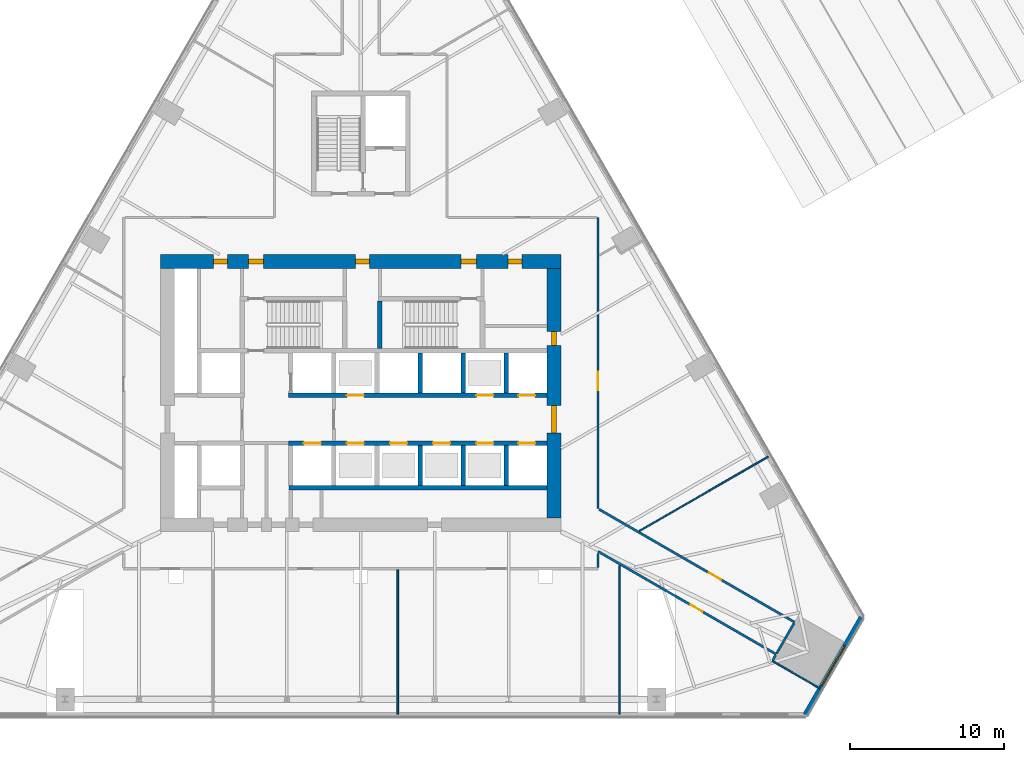
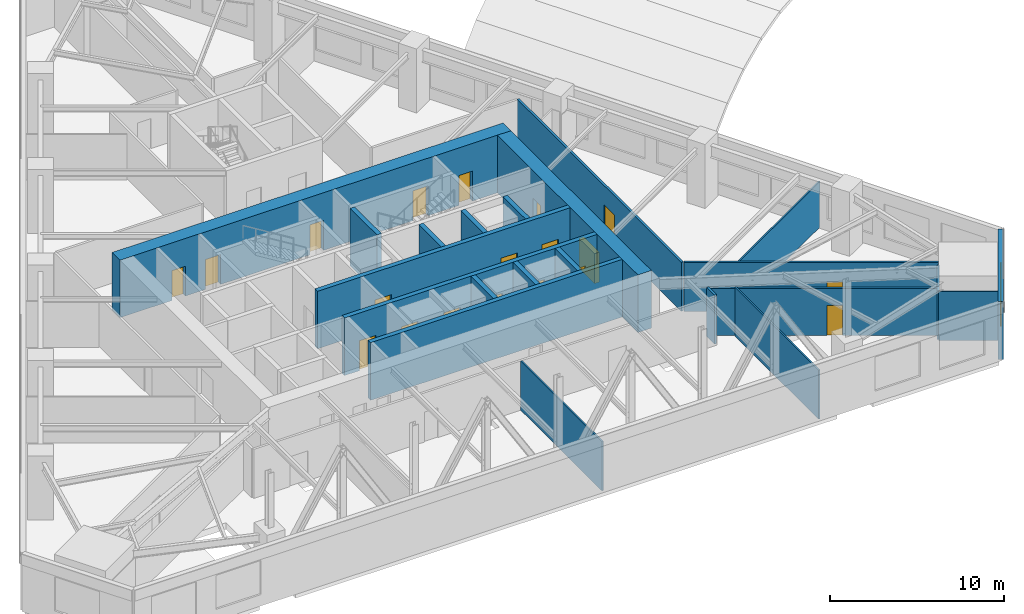
# One storey, part 7 of 11: 23 walls, 19 doors, 1 window, 20 openings.
"""IFC4 building model written with IfcOpenShell, lengths in metres."""

import ifcopenshell
import ifcopenshell.guid

model = None  # the IFC model being written
_history = None  # IfcOwnerHistory: only IFC2X3 demands one
_inside = {}  # id of a spatial element -> (the spatial element, [elements in it])
_under = {}  # id of a project, library or spatial element -> (it, [spatial elements below it])
_declared = {}  # id of a project -> (the project, [libraries it declares])
_typed = {}  # id of a type object -> (the type object, [elements of that type])
_made_of = {}  # id of a material, layer set ... -> (it, [elements and type objects made of it])


def new_model(schema):
    """Start an empty IFC model of exactly this schema.

    Asked for "IFC4X3", IfcOpenShell would pick the latest addendum, in which some entities
    have other attributes; the version numbers below select the first issue.
    IFC2X3 requires an IfcOwnerHistory on every rooted entity: one is made here for all.
    """
    global model, _history
    if schema == "IFC4X3":
        model = ifcopenshell.file(schema_version=(4, 3, 0, 0))
    else:
        model = ifcopenshell.file(schema=schema)
    _inside.clear()
    _under.clear()
    _declared.clear()
    _typed.clear()
    _made_of.clear()
    _history = None
    if model.schema == "IFC2X3":
        org = make("IfcOrganization", Name="unknown")
        user = make(
            "IfcPersonAndOrganization",
            ThePerson=make("IfcPerson", FamilyName="unknown"),
            TheOrganization=org,
        )
        app = make(
            "IfcApplication",
            ApplicationDeveloper=org,
            Version="unknown",
            ApplicationFullName="unknown",
            ApplicationIdentifier="unknown",
        )
        _history = make(
            "IfcOwnerHistory",
            OwningUser=user,
            OwningApplication=app,
            ChangeAction="ADDED",
            CreationDate=0,
        )
    return model


def make(cls, **values):
    """One entity of the class cls with the attributes given. An attribute that is None is left unset."""
    return model.create_entity(
        cls, **{name: value for name, value in values.items() if value is not None}
    )


def rooted(cls, **values):
    """An entity with a GlobalId (a new one), such as an element, a storey or a relation."""
    return make(cls, GlobalId=ifcopenshell.guid.new(), OwnerHistory=_history, **values)


def si_unit(unit_type, name, prefix=None):
    """IfcSIUnit, for example si_unit("LENGTHUNIT", "METRE", prefix="MILLI")."""
    return make("IfcSIUnit", UnitType=unit_type, Prefix=prefix, Name=name)


def assignment(units):
    """IfcUnitAssignment: the units of a project."""
    return None if units is None else make("IfcUnitAssignment", Units=units)


def point(xyz):
    """IfcCartesianPoint."""
    return None if xyz is None else make("IfcCartesianPoint", Coordinates=xyz)


def direction(xyz):
    """IfcDirection."""
    return None if xyz is None else make("IfcDirection", DirectionRatios=xyz)


def frame(location, z_axis=None, x_axis=None):
    """IfcAxis2Placement3D, a coordinate frame: its origin and axes. An axis left out is left unset."""
    return make(
        "IfcAxis2Placement3D",
        Location=point(location),
        Axis=direction(z_axis),
        RefDirection=direction(x_axis),
    )


def frame_2d(location, x_axis=None):
    """IfcAxis2Placement2D, a coordinate frame in the plane: its origin and x axis."""
    return make(
        "IfcAxis2Placement2D", Location=point(location), RefDirection=direction(x_axis)
    )


def origin():
    """The frame at (0, 0, 0) with its axes left unset."""
    return frame((0.0, 0.0, 0.0))


def place(relative_to, where):
    """IfcLocalPlacement: puts the frame where relative to a parent placement (None: the world)."""
    return make(
        "IfcLocalPlacement", PlacementRelTo=relative_to, RelativePlacement=where
    )


def context(
    kind, dimensions, precision=None, world=None, true_north=None, identifier=None
):
    """IfcGeometricRepresentationContext, for example the 3D "Model" context."""
    return make(
        "IfcGeometricRepresentationContext",
        ContextIdentifier=identifier,
        ContextType=kind,
        CoordinateSpaceDimension=dimensions,
        Precision=precision,
        WorldCoordinateSystem=world,
        TrueNorth=true_north,
    )


def subcontext(parent, identifier, kind, view, scale=None):
    """IfcGeometricRepresentationSubContext, for example "Body" below "Model"."""
    return make(
        "IfcGeometricRepresentationSubContext",
        ContextIdentifier=identifier,
        ContextType=kind,
        ParentContext=parent,
        TargetScale=scale,
        TargetView=view,
    )


def project(units=None, contexts=None):
    """IfcProject with its units and contexts."""
    return rooted(
        "IfcProject",
        Name="project",
        RepresentationContexts=contexts,
        UnitsInContext=assignment(units),
    )


def spatial(cls, under=None, at=None, **own):
    """A site, building, storey or space (cls), placed at a placement, below another one or the project."""
    s = rooted(cls, ObjectPlacement=at, **own)
    if under is not None:
        _under.setdefault(under.id(), (under, []))[1].append(s)
    return s


def profile(cls, at=None, kind="AREA", **sizes):
    """A parametric profile (cls). Its sizes go by their IFC names, for example OverallWidth=200.0."""
    return make(cls, ProfileType=kind, Position=at, **sizes)


def rectangle(**sizes):
    """IfcRectangleProfileDef."""
    return profile("IfcRectangleProfileDef", **sizes)


def extrude(swept, where, along, depth):
    """IfcExtrudedAreaSolid: the profile swept, set in the frame where, extruded along a direction by depth."""
    return make(
        "IfcExtrudedAreaSolid",
        SweptArea=swept,
        Position=where,
        ExtrudedDirection=direction(along),
        Depth=depth,
    )


def shape(context_of_items, identifier, shape_type, items):
    """IfcShapeRepresentation: the items that make up one representation, for example the "Body"."""
    return make(
        "IfcShapeRepresentation",
        ContextOfItems=context_of_items,
        RepresentationIdentifier=identifier,
        RepresentationType=shape_type,
        Items=items,
    )


def material(Name=None, Category=None):
    """IfcMaterial."""
    return make("IfcMaterial", Name=Name, Category=Category)


def layer(
    of_material, thickness, ventilated=None, Name=None, Category=None, Priority=None
):
    """IfcMaterialLayer: one layer of a wall or slab, of a material (None: an air gap)."""
    return make(
        "IfcMaterialLayer",
        Material=of_material,
        LayerThickness=thickness,
        IsVentilated=ventilated,
        Name=Name,
        Category=Category,
        Priority=Priority,
    )


def layer_set(layers, Name=None):
    """IfcMaterialLayerSet."""
    return make("IfcMaterialLayerSet", MaterialLayers=layers, LayerSetName=Name)


def made_of(thing, what):
    """Note that an element or type object is made of a material, layer set ...; save() writes the relation."""
    if what is not None:
        _made_of.setdefault(what.id(), (what, []))[1].append(thing)
    return thing


def type_object(cls, material=None, **own):
    """A type object (cls), such as IfcWallType, which elements share."""
    return made_of(rooted(cls, **own), material)


def element(
    cls,
    number,
    at=None,
    inside=None,
    cuts=None,
    type_object=None,
    material=None,
    context=None,
    identifier="Body",
    shape_type=None,
    held_by="IfcProductDefinitionShape",
    body=None,
    shapes=None,
    **own,
):
    """One element of the class cls, such as IfcWall. Its Tag is "e" and its number.

    at: its placement. inside: the storey or other place that contains it. cuts: it is an
    opening in that element (IfcRelVoidsElement). A single representation is given by context,
    identifier, shape_type and body (its items); several are given by shapes. held_by: the class
    of the entity that holds the representations. save() writes the other relations.
    """
    e = rooted(cls, Tag="e%d" % number, ObjectPlacement=at, **own)
    if body is not None:
        shapes = [shape(context, identifier, shape_type, body)]
    if shapes is not None:
        e.Representation = make(held_by, Representations=shapes)
    if inside is not None:
        _inside.setdefault(inside.id(), (inside, []))[1].append(e)
    if cuts is not None:
        rooted(
            "IfcRelVoidsElement", RelatingBuildingElement=cuts, RelatedOpeningElement=e
        )
    if type_object is not None:
        _typed.setdefault(type_object.id(), (type_object, []))[1].append(e)
    return made_of(e, material)


def fill(opening, filler):
    """IfcRelFillsElement: the door or window that sits in an opening."""
    return rooted(
        "IfcRelFillsElement",
        RelatingOpeningElement=opening,
        RelatedBuildingElement=filler,
    )


def aggregate(whole, parts):
    """IfcRelAggregates: a whole, such as a stair, and the parts it consists of."""
    return rooted("IfcRelAggregates", RelatingObject=whole, RelatedObjects=parts)


def save(model, path):
    """Write the relations noted so far, then the file.

    IfcRelAggregates (storeys below a building ...), IfcRelContainedInSpatialStructure (elements
    in a storey), IfcRelDefinesByType, IfcRelAssociatesMaterial and IfcRelDeclares: one each for
    every whole, place, type object, material and project.
    """
    for whole, parts in _under.values():
        aggregate(whole, parts)
    for where, things in _inside.values():
        rooted(
            "IfcRelContainedInSpatialStructure",
            RelatedElements=things,
            RelatingStructure=where,
        )
    for kind, things in _typed.values():
        rooted("IfcRelDefinesByType", RelatedObjects=things, RelatingType=kind)
    for what, things in _made_of.values():
        rooted("IfcRelAssociatesMaterial", RelatedObjects=things, RelatingMaterial=what)
    for by, libraries in _declared.values():
        rooted("IfcRelDeclares", RelatingContext=by, RelatedDefinitions=libraries)
    model.write(path)


model = new_model("IFC4")

# Units and contexts
model_context = context("Model", 3, precision=1e-05, world=origin(), true_north=direction((0.0, 1.0)))
body_context = subcontext(model_context, "Body", "Model", "MODEL_VIEW")
ifc_project = project(units=[si_unit("LENGTHUNIT", "METRE"), si_unit("AREAUNIT", "SQUARE_METRE"), si_unit("VOLUMEUNIT", "CUBIC_METRE"), si_unit("PLANEANGLEUNIT", "RADIAN"), si_unit("MASSUNIT", "GRAM", prefix="KILO")], contexts=[model_context])

# Site, building, storey
site_placement = place(None, origin())
site = spatial("IfcSite", under=ifc_project, at=site_placement, CompositionType="ELEMENT")
building_placement = place(site_placement, origin())
building = spatial("IfcBuilding", under=site, at=building_placement, Name="Firuza Gate Tower and Library", CompositionType="ELEMENT")
storey_placement = place(building_placement, frame((0.0, 0.0, 31.0)))
storey = spatial("IfcBuildingStorey", under=building, at=storey_placement, Name="L06", CompositionType="ELEMENT", Elevation=31.0)

# Wall
ifc_material_1 = material(Name="Concrete C80/95", Category="concrete")
ifc_layer_1 = layer(ifc_material_1, 0.300048828125)
ifc_layer_set_1 = layer_set([ifc_layer_1], Name="Core wall 300 C80/95")
wall_type_1 = type_object("IfcWallType", Name="Core wall 300 C80/95", PredefinedType="SHEAR", material=ifc_layer_set_1)
wall_1_placement = place(storey_placement, frame((70.35009765625, 68.85009765625, 0.0), z_axis=(0.0, 0.0, 1.0), x_axis=(1.0, 0.0, 0.0)))
element("IfcWall", 1, at=wall_1_placement, inside=storey, type_object=wall_type_1, Name="Core wall L06 6", PredefinedType="SHEAR", context=body_context, shape_type="SweptSolid", body=[
    extrude(rectangle(XDim=16.75, YDim=0.300048828125, at=frame_2d((8.375, 0.0))), origin(), (0.0, 0.0, 1.0), 4.050048828125),
])

# Wall, openings, doors
wall_2_placement = place(storey_placement, frame((70.300048828125, 71.75, 0.0), z_axis=(0.0, 0.0, 1.0), x_axis=(1.0, 0.0, 0.0)))
wall_2 = element("IfcWall", 2, at=wall_2_placement, inside=storey, type_object=wall_type_1, Name="Core wall L06 8", PredefinedType="SHEAR", context=body_context, shape_type="SweptSolid", body=[
    extrude(rectangle(XDim=16.800048828125, YDim=0.300048828125, at=frame_2d((8.39990234375, 0.0))), origin(), (0.0, 0.0, 1.0), 4.050048828125),
])
opening_1_placement = place(wall_2_placement, frame((1.0, 0.0, 0.0)))
opening_1 = element("IfcOpeningElement", 3, at=opening_1_placement, cuts=wall_2, Name="Opening LD-FF1-L06", PredefinedType="OPENING", context=body_context, shape_type="SweptSolid", body=[
    extrude(rectangle(XDim=1.10009765625, YDim=2.10009765625, at=frame_2d((0.550048828125, 1.050048828125))), frame((0.0, 0.16015625, 0.0), z_axis=(0.0, -1.0, 0.0), x_axis=(1.0, 0.0, 0.0)), (0.0, 0.0, 1.0), 0.320068359375),
])
opening_2_placement = place(wall_2_placement, frame((3.800048828125, 0.0, 0.0)))
opening_2 = element("IfcOpeningElement", 4, at=opening_2_placement, cuts=wall_2, Name="Opening LD-LR1-L06", PredefinedType="OPENING", context=body_context, shape_type="SweptSolid", body=[
    extrude(rectangle(XDim=1.10009765625, YDim=2.10009765625, at=frame_2d((0.550048828125, 1.050048828125))), frame((0.0, 0.16015625, 0.0), z_axis=(0.0, -1.0, 0.0), x_axis=(1.0, 0.0, 0.0)), (0.0, 0.0, 1.0), 0.320068359375),
])
opening_3_placement = place(wall_2_placement, frame((6.60009765625, 0.0, 0.0)))
opening_3 = element("IfcOpeningElement", 5, at=opening_3_placement, cuts=wall_2, Name="Opening LD-LR2-L06", PredefinedType="OPENING", context=body_context, shape_type="SweptSolid", body=[
    extrude(rectangle(XDim=1.10009765625, YDim=2.10009765625, at=frame_2d((0.550048828125, 1.050048828125))), frame((0.0, 0.16015625, 0.0), z_axis=(0.0, -1.0, 0.0), x_axis=(1.0, 0.0, 0.0)), (0.0, 0.0, 1.0), 0.320068359375),
])
opening_4_placement = place(wall_2_placement, frame((9.39990234375, 0.0, 0.0)))
opening_4 = element("IfcOpeningElement", 6, at=opening_4_placement, cuts=wall_2, Name="Opening LD-LR3-L06", PredefinedType="OPENING", context=body_context, shape_type="SweptSolid", body=[
    extrude(rectangle(XDim=1.10009765625, YDim=2.10009765625, at=frame_2d((0.550048828125, 1.050048828125))), frame((0.0, 0.16015625, 0.0), z_axis=(0.0, -1.0, 0.0), x_axis=(1.0, 0.0, 0.0)), (0.0, 0.0, 1.0), 0.320068359375),
])
opening_5_placement = place(wall_2_placement, frame((12.199951171875, 0.0, 0.0)))
opening_5 = element("IfcOpeningElement", 7, at=opening_5_placement, cuts=wall_2, Name="Opening LD-LR5-L06", PredefinedType="OPENING", context=body_context, shape_type="SweptSolid", body=[
    extrude(rectangle(XDim=1.10009765625, YDim=2.10009765625, at=frame_2d((0.550048828125, 1.050048828125))), frame((0.0, 0.16015625, 0.0), z_axis=(0.0, -1.0, 0.0), x_axis=(1.0, 0.0, 0.0)), (0.0, 0.0, 1.0), 0.320068359375),
])
opening_6_placement = place(wall_2_placement, frame((14.925048828125, 0.0, 0.0)))
opening_6 = element("IfcOpeningElement", 8, at=opening_6_placement, cuts=wall_2, Name="Opening LD-LR7-L06", PredefinedType="OPENING", context=body_context, shape_type="SweptSolid", body=[
    extrude(rectangle(XDim=1.10009765625, YDim=2.10009765625, at=frame_2d((0.550048828125, 1.050048828125))), frame((0.0, 0.16015625, 0.0), z_axis=(0.0, -1.0, 0.0), x_axis=(1.0, 0.0, 0.0)), (0.0, 0.0, 1.0), 0.320068359375),
])
ifc_material_2 = material(Name="Stainless steel", Category="steel")
door_type_1 = type_object("IfcDoorType", Name="Lift landing door 1100x2100", OperationType="DOUBLE_DOOR_SLIDING", PredefinedType="DOOR", material=ifc_material_2)
door_1_placement = place(opening_1_placement, origin())
door_1 = element("IfcDoor", 9, at=door_1_placement, inside=storey, type_object=door_type_1, Name="Landing door FF1 L06", OperationType="DOUBLE_DOOR_SLIDING", OverallHeight=2.10009765625, OverallWidth=1.10009765625, PredefinedType="DOOR", context=body_context, shape_type="SweptSolid", body=[
    extrude(rectangle(XDim=1.10009765625, YDim=2.10009765625, at=frame_2d((0.550048828125, 1.050048828125))), frame((0.0, 0.02490234375, 0.0), z_axis=(0.0, -1.0, 0.0), x_axis=(1.0, 0.0, 0.0)), (0.0, 0.0, 1.0), 0.050048828125),
])
fill(opening_1, door_1)
door_2_placement = place(opening_2_placement, origin())
door_2 = element("IfcDoor", 10, at=door_2_placement, inside=storey, type_object=door_type_1, Name="Landing door LR1 L06", OperationType="DOUBLE_DOOR_SLIDING", OverallHeight=2.10009765625, OverallWidth=1.10009765625, PredefinedType="DOOR", context=body_context, shape_type="SweptSolid", body=[
    extrude(rectangle(XDim=1.10009765625, YDim=2.10009765625, at=frame_2d((0.550048828125, 1.050048828125))), frame((0.0, 0.02490234375, 0.0), z_axis=(0.0, -1.0, 0.0), x_axis=(1.0, 0.0, 0.0)), (0.0, 0.0, 1.0), 0.050048828125),
])
fill(opening_2, door_2)
door_3_placement = place(opening_3_placement, origin())
door_3 = element("IfcDoor", 11, at=door_3_placement, inside=storey, type_object=door_type_1, Name="Landing door LR2 L06", OperationType="DOUBLE_DOOR_SLIDING", OverallHeight=2.10009765625, OverallWidth=1.10009765625, PredefinedType="DOOR", context=body_context, shape_type="SweptSolid", body=[
    extrude(rectangle(XDim=1.10009765625, YDim=2.10009765625, at=frame_2d((0.550048828125, 1.050048828125))), frame((0.0, 0.02490234375, 0.0), z_axis=(0.0, -1.0, 0.0), x_axis=(1.0, 0.0, 0.0)), (0.0, 0.0, 1.0), 0.050048828125),
])
fill(opening_3, door_3)
door_4_placement = place(opening_4_placement, origin())
door_4 = element("IfcDoor", 12, at=door_4_placement, inside=storey, type_object=door_type_1, Name="Landing door LR3 L06", OperationType="DOUBLE_DOOR_SLIDING", OverallHeight=2.10009765625, OverallWidth=1.10009765625, PredefinedType="DOOR", context=body_context, shape_type="SweptSolid", body=[
    extrude(rectangle(XDim=1.10009765625, YDim=2.10009765625, at=frame_2d((0.550048828125, 1.050048828125))), frame((0.0, 0.02490234375, 0.0), z_axis=(0.0, -1.0, 0.0), x_axis=(1.0, 0.0, 0.0)), (0.0, 0.0, 1.0), 0.050048828125),
])
fill(opening_4, door_4)
door_5_placement = place(opening_5_placement, origin())
door_5 = element("IfcDoor", 13, at=door_5_placement, inside=storey, type_object=door_type_1, Name="Landing door LR5 L06", OperationType="DOUBLE_DOOR_SLIDING", OverallHeight=2.10009765625, OverallWidth=1.10009765625, PredefinedType="DOOR", context=body_context, shape_type="SweptSolid", body=[
    extrude(rectangle(XDim=1.10009765625, YDim=2.10009765625, at=frame_2d((0.550048828125, 1.050048828125))), frame((0.0, 0.02490234375, 0.0), z_axis=(0.0, -1.0, 0.0), x_axis=(1.0, 0.0, 0.0)), (0.0, 0.0, 1.0), 0.050048828125),
])
fill(opening_5, door_5)
door_6_placement = place(opening_6_placement, origin())
door_6 = element("IfcDoor", 14, at=door_6_placement, inside=storey, type_object=door_type_1, Name="Landing door LR7 L06", OperationType="DOUBLE_DOOR_SLIDING", OverallHeight=2.10009765625, OverallWidth=1.10009765625, PredefinedType="DOOR", context=body_context, shape_type="SweptSolid", body=[
    extrude(rectangle(XDim=1.10009765625, YDim=2.10009765625, at=frame_2d((0.550048828125, 1.050048828125))), frame((0.0, 0.02490234375, 0.0), z_axis=(0.0, -1.0, 0.0), x_axis=(1.0, 0.0, 0.0)), (0.0, 0.0, 1.0), 0.050048828125),
])
fill(opening_6, door_6)

wall_3_placement = place(storey_placement, frame((70.300048828125, 74.85009765625, 0.0), z_axis=(0.0, 0.0, 1.0), x_axis=(1.0, 0.0, 0.0)))
wall_3 = element("IfcWall", 15, at=wall_3_placement, inside=storey, type_object=wall_type_1, Name="Core wall L06 10", PredefinedType="SHEAR", context=body_context, shape_type="SweptSolid", body=[
    extrude(rectangle(XDim=16.800048828125, YDim=0.300048828125, at=frame_2d((8.39990234375, 0.0))), origin(), (0.0, 0.0, 1.0), 4.050048828125),
])
opening_7_placement = place(wall_3_placement, frame((3.800048828125, 0.0, 0.0)))
opening_7 = element("IfcOpeningElement", 16, at=opening_7_placement, cuts=wall_3, Name="Opening LD-LR4-L06", PredefinedType="OPENING", context=body_context, shape_type="SweptSolid", body=[
    extrude(rectangle(XDim=1.10009765625, YDim=2.10009765625, at=frame_2d((0.550048828125, 1.050048828125))), frame((0.0, 0.16015625, 0.0), z_axis=(0.0, -1.0, 0.0), x_axis=(1.0, 0.0, 0.0)), (0.0, 0.0, 1.0), 0.320068359375),
])
opening_8_placement = place(wall_3_placement, frame((12.199951171875, 0.0, 0.0)))
opening_8 = element("IfcOpeningElement", 17, at=opening_8_placement, cuts=wall_3, Name="Opening LD-LR6-L06", PredefinedType="OPENING", context=body_context, shape_type="SweptSolid", body=[
    extrude(rectangle(XDim=1.10009765625, YDim=2.10009765625, at=frame_2d((0.550048828125, 1.050048828125))), frame((0.0, 0.16015625, 0.0), z_axis=(0.0, -1.0, 0.0), x_axis=(1.0, 0.0, 0.0)), (0.0, 0.0, 1.0), 0.320068359375),
])
opening_9_placement = place(wall_3_placement, frame((14.925048828125, 0.0, 0.0)))
opening_9 = element("IfcOpeningElement", 18, at=opening_9_placement, cuts=wall_3, Name="Opening LD-LR8-L06", PredefinedType="OPENING", context=body_context, shape_type="SweptSolid", body=[
    extrude(rectangle(XDim=1.10009765625, YDim=2.10009765625, at=frame_2d((0.550048828125, 1.050048828125))), frame((0.0, 0.16015625, 0.0), z_axis=(0.0, -1.0, 0.0), x_axis=(1.0, 0.0, 0.0)), (0.0, 0.0, 1.0), 0.320068359375),
])
door_7_placement = place(opening_7_placement, origin())
door_7 = element("IfcDoor", 19, at=door_7_placement, inside=storey, type_object=door_type_1, Name="Landing door LR4 L06", OperationType="DOUBLE_DOOR_SLIDING", OverallHeight=2.10009765625, OverallWidth=1.10009765625, PredefinedType="DOOR", context=body_context, shape_type="SweptSolid", body=[
    extrude(rectangle(XDim=1.10009765625, YDim=2.10009765625, at=frame_2d((0.550048828125, 1.050048828125))), frame((0.0, 0.02490234375, 0.0), z_axis=(0.0, -1.0, 0.0), x_axis=(1.0, 0.0, 0.0)), (0.0, 0.0, 1.0), 0.050048828125),
])
fill(opening_7, door_7)
door_8_placement = place(opening_8_placement, origin())
door_8 = element("IfcDoor", 20, at=door_8_placement, inside=storey, type_object=door_type_1, Name="Landing door LR6 L06", OperationType="DOUBLE_DOOR_SLIDING", OverallHeight=2.10009765625, OverallWidth=1.10009765625, PredefinedType="DOOR", context=body_context, shape_type="SweptSolid", body=[
    extrude(rectangle(XDim=1.10009765625, YDim=2.10009765625, at=frame_2d((0.550048828125, 1.050048828125))), frame((0.0, 0.02490234375, 0.0), z_axis=(0.0, -1.0, 0.0), x_axis=(1.0, 0.0, 0.0)), (0.0, 0.0, 1.0), 0.050048828125),
])
fill(opening_8, door_8)
door_9_placement = place(opening_9_placement, origin())
door_9 = element("IfcDoor", 21, at=door_9_placement, inside=storey, type_object=door_type_1, Name="Landing door LR8 L06", OperationType="DOUBLE_DOOR_SLIDING", OverallHeight=2.10009765625, OverallWidth=1.10009765625, PredefinedType="DOOR", context=body_context, shape_type="SweptSolid", body=[
    extrude(rectangle(XDim=1.10009765625, YDim=2.10009765625, at=frame_2d((0.550048828125, 1.050048828125))), frame((0.0, 0.02490234375, 0.0), z_axis=(0.0, -1.0, 0.0), x_axis=(1.0, 0.0, 0.0)), (0.0, 0.0, 1.0), 0.050048828125),
])
fill(opening_9, door_9)

# Walls
for number, where, z_axis, x_axis, name in (
    (22, (78.85009765625, 69.0, 0.0), (0.0, 0.0, 1.0), (0.0, 1.0, 0.0), "Core wall L06 21"),
    (23, (78.85009765625, 75.0, 0.0), (0.0, 0.0, 1.0), (0.0, 1.0, 0.0), "Core wall L06 22"),
    (24, (81.64990234375, 69.0, 0.0), (0.0, 0.0, 1.0), (0.0, 1.0, 0.0), "Core wall L06 23"),
    (25, (81.64990234375, 75.0, 0.0), (0.0, 0.0, 1.0), (0.0, 1.0, 0.0), "Core wall L06 24"),
    (26, (84.449951171875, 69.0, 0.0), (0.0, 0.0, 1.0), (0.0, 1.0, 0.0), "Core wall L06 25"),
    (27, (84.449951171875, 75.0, 0.0), (0.0, 0.0, 1.0), (0.0, 1.0, 0.0), "Core wall L06 26"),
):
    element("IfcWall", number, at=place(storey_placement, frame(where, z_axis=z_axis, x_axis=x_axis)), inside=storey, type_object=wall_type_1, Name=name, PredefinedType="SHEAR", context=body_context, shape_type="SweptSolid", body=[
        extrude(rectangle(XDim=2.60009765625, YDim=0.300048828125, at=frame_2d((1.300048828125, 0.0))), origin(), (0.0, 0.0, 1.0), 4.050048828125),
    ])
wall_4_placement = place(storey_placement, frame((76.239990234375, 77.89990234375, 0.0), z_axis=(0.0, 0.0, 1.0), x_axis=(0.0, 1.0, 0.0)))
element("IfcWall", 28, at=wall_4_placement, inside=storey, type_object=wall_type_1, Name="Core wall L06 32", PredefinedType="SHEAR", context=body_context, shape_type="SweptSolid", body=[
    extrude(rectangle(XDim=3.080078125, YDim=0.300048828125, at=frame_2d((1.5400390625, 0.0))), origin(), (0.0, 0.0, 1.0), 4.050048828125),
])

# Wall, openings, doors
ifc_material_3 = material(Name="Concrete C80/95", Category="concrete")
ifc_layer_2 = layer(ifc_material_3, 0.89990234375)
ifc_layer_set_2 = layer_set([ifc_layer_2], Name="Core wall 900 C80/95")
wall_type_2 = type_object("IfcWallType", Name="Core wall 900 C80/95", PredefinedType="SHEAR", material=ifc_layer_set_2)
wall_5_placement = place(storey_placement, frame((62.0, 83.550048828125, 0.0), z_axis=(0.0, 0.0, 1.0), x_axis=(1.0, 0.0, 0.0)))
wall_5 = element("IfcWall", 29, at=wall_5_placement, inside=storey, type_object=wall_type_2, Name="Core wall L06 2", PredefinedType="SHEAR", context=body_context, shape_type="SweptSolid", body=[
    extrude(rectangle(XDim=26.0, YDim=0.89990234375, at=frame_2d((13.0, 0.0))), origin(), (0.0, 0.0, 1.0), 4.050048828125),
])
opening_10_placement = place(wall_5_placement, frame((5.695068359375, 0.0, 0.0)))
opening_10 = element("IfcOpeningElement", 30, at=opening_10_placement, cuts=wall_5, Name="Opening L06-K14", PredefinedType="OPENING", context=body_context, shape_type="SweptSolid", body=[
    extrude(rectangle(XDim=1.0, YDim=2.10009765625, at=frame_2d((0.5, 1.050048828125))), frame((0.0, 0.4599609375, 0.0), z_axis=(0.0, -1.0, 0.0), x_axis=(1.0, 0.0, 0.0)), (0.0, 0.0, 1.0), 0.919921875),
])
opening_11_placement = place(wall_5_placement, frame((19.5048828125, 0.0, 0.0)))
opening_11 = element("IfcOpeningElement", 31, at=opening_11_placement, cuts=wall_5, Name="Opening L06-K16", PredefinedType="OPENING", context=body_context, shape_type="SweptSolid", body=[
    extrude(rectangle(XDim=1.0, YDim=2.10009765625, at=frame_2d((0.5, 1.050048828125))), frame((0.0, 0.4599609375, 0.0), z_axis=(0.0, -1.0, 0.0), x_axis=(1.0, 0.0, 0.0)), (0.0, 0.0, 1.0), 0.919921875),
])
opening_12_placement = place(wall_5_placement, frame((3.449951171875, 0.0, 0.0)))
opening_12 = element("IfcOpeningElement", 32, at=opening_12_placement, cuts=wall_5, Name="Opening L06-K29", PredefinedType="OPENING", context=body_context, shape_type="SweptSolid", body=[
    extrude(rectangle(XDim=0.89990234375, YDim=2.10009765625, at=frame_2d((0.449951171875, 1.050048828125))), frame((0.0, 0.4599609375, 0.0), z_axis=(0.0, -1.0, 0.0), x_axis=(1.0, 0.0, 0.0)), (0.0, 0.0, 1.0), 0.919921875),
])
opening_13_placement = place(wall_5_placement, frame((12.64990234375, 0.0, 0.0)))
opening_13 = element("IfcOpeningElement", 33, at=opening_13_placement, cuts=wall_5, Name="Opening L06-K30", PredefinedType="OPENING", context=body_context, shape_type="SweptSolid", body=[
    extrude(rectangle(XDim=0.89990234375, YDim=2.10009765625, at=frame_2d((0.449951171875, 1.050048828125))), frame((0.0, 0.4599609375, 0.0), z_axis=(0.0, -1.0, 0.0), x_axis=(1.0, 0.0, 0.0)), (0.0, 0.0, 1.0), 0.919921875),
])
opening_14_placement = place(wall_5_placement, frame((22.550048828125, 0.0, 0.0)))
opening_14 = element("IfcOpeningElement", 34, at=opening_14_placement, cuts=wall_5, Name="Opening L06-K32", PredefinedType="OPENING", context=body_context, shape_type="SweptSolid", body=[
    extrude(rectangle(XDim=0.89990234375, YDim=2.10009765625, at=frame_2d((0.449951171875, 1.050048828125))), frame((0.0, 0.4599609375, 0.0), z_axis=(0.0, -1.0, 0.0), x_axis=(1.0, 0.0, 0.0)), (0.0, 0.0, 1.0), 0.919921875),
])
ifc_material_4 = material(Name="Steel", Category="steel")
door_type_2 = type_object("IfcDoorType", Name="Fire door 1000x2100 FD90", OperationType="NOTDEFINED", PredefinedType="DOOR", material=ifc_material_4)
door_10_placement = place(opening_10_placement, origin())
door_10 = element("IfcDoor", 35, at=door_10_placement, inside=storey, type_object=door_type_2, Name="Door L06-K14", OperationType="SINGLE_SWING_LEFT", OverallHeight=2.10009765625, OverallWidth=1.0, PredefinedType="DOOR", context=body_context, shape_type="SweptSolid", body=[
    extrude(rectangle(XDim=1.0, YDim=2.10009765625, at=frame_2d((0.5, 1.050048828125))), frame((0.0, 0.169921875, 0.0), z_axis=(0.0, -1.0, 0.0), x_axis=(1.0, 0.0, 0.0)), (0.0, 0.0, 1.0), 0.33984375),
])
fill(opening_10, door_10)
door_11_placement = place(opening_11_placement, origin())
door_11 = element("IfcDoor", 36, at=door_11_placement, inside=storey, type_object=door_type_2, Name="Door L06-K16", OperationType="SINGLE_SWING_LEFT", OverallHeight=2.10009765625, OverallWidth=1.0, PredefinedType="DOOR", context=body_context, shape_type="SweptSolid", body=[
    extrude(rectangle(XDim=1.0, YDim=2.10009765625, at=frame_2d((0.5, 1.050048828125))), frame((0.0, 0.169921875, 0.0), z_axis=(0.0, -1.0, 0.0), x_axis=(1.0, 0.0, 0.0)), (0.0, 0.0, 1.0), 0.33984375),
])
fill(opening_11, door_11)
ifc_material_5 = material(Name="Steel", Category="steel")
door_type_3 = type_object("IfcDoorType", Name="Fire door 900x2100 FD30S", OperationType="NOTDEFINED", PredefinedType="DOOR", material=ifc_material_5)
door_12_placement = place(opening_12_placement, origin())
door_12 = element("IfcDoor", 37, at=door_12_placement, inside=storey, type_object=door_type_3, Name="Door L06-K29", OperationType="SINGLE_SWING_RIGHT", OverallHeight=2.10009765625, OverallWidth=0.89990234375, PredefinedType="DOOR", context=body_context, shape_type="SweptSolid", body=[
    extrude(rectangle(XDim=0.89990234375, YDim=2.10009765625, at=frame_2d((0.449951171875, 1.050048828125))), frame((0.0, 0.169921875, 0.0), z_axis=(0.0, -1.0, 0.0), x_axis=(1.0, 0.0, 0.0)), (0.0, 0.0, 1.0), 0.33984375),
])
fill(opening_12, door_12)
door_13_placement = place(opening_13_placement, origin())
door_13 = element("IfcDoor", 38, at=door_13_placement, inside=storey, type_object=door_type_3, Name="Door L06-K30", OperationType="SINGLE_SWING_LEFT", OverallHeight=2.10009765625, OverallWidth=0.89990234375, PredefinedType="DOOR", context=body_context, shape_type="SweptSolid", body=[
    extrude(rectangle(XDim=0.89990234375, YDim=2.10009765625, at=frame_2d((0.449951171875, 1.050048828125))), frame((0.0, 0.169921875, 0.0), z_axis=(0.0, -1.0, 0.0), x_axis=(1.0, 0.0, 0.0)), (0.0, 0.0, 1.0), 0.33984375),
])
fill(opening_13, door_13)
door_14_placement = place(opening_14_placement, origin())
door_14 = element("IfcDoor", 39, at=door_14_placement, inside=storey, type_object=door_type_3, Name="Door L06-K32", OperationType="SINGLE_SWING_LEFT", OverallHeight=2.10009765625, OverallWidth=0.89990234375, PredefinedType="DOOR", context=body_context, shape_type="SweptSolid", body=[
    extrude(rectangle(XDim=0.89990234375, YDim=2.10009765625, at=frame_2d((0.449951171875, 1.050048828125))), frame((0.0, 0.169921875, 0.0), z_axis=(0.0, -1.0, 0.0), x_axis=(1.0, 0.0, 0.0)), (0.0, 0.0, 1.0), 0.33984375),
])
fill(opening_14, door_14)

wall_6_placement = place(storey_placement, frame((87.550048828125, 66.89990234375, 0.0), z_axis=(0.0, 0.0, 1.0), x_axis=(0.0, 1.0, 0.0)))
wall_6 = element("IfcWall", 40, at=wall_6_placement, inside=storey, type_object=wall_type_2, Name="Core wall L06 4", PredefinedType="SHEAR", context=body_context, shape_type="SweptSolid", body=[
    extrude(rectangle(XDim=16.2001953125, YDim=0.89990234375, at=frame_2d((8.10009765625, 0.0))), origin(), (0.0, 0.0, 1.0), 4.050048828125),
])
opening_15_placement = place(wall_6_placement, frame((5.5, 0.0, 0.0)))
opening_15 = element("IfcOpeningElement", 41, at=opening_15_placement, cuts=wall_6, Name="Opening L06-K23", PredefinedType="OPENING", context=body_context, shape_type="SweptSolid", body=[
    extrude(rectangle(XDim=1.800048828125, YDim=2.10009765625, at=frame_2d((0.89990234375, 1.050048828125))), frame((0.0, 0.4599609375, 0.0), z_axis=(0.0, -1.0, 0.0), x_axis=(1.0, 0.0, 0.0)), (0.0, 0.0, 1.0), 0.919921875),
])
opening_16_placement = place(wall_6_placement, frame((11.202392578125, 0.0, 0.0)))
opening_16 = element("IfcOpeningElement", 42, at=opening_16_placement, cuts=wall_6, Name="Opening L06-K31", PredefinedType="OPENING", context=body_context, shape_type="SweptSolid", body=[
    extrude(rectangle(XDim=0.89990234375, YDim=2.10009765625, at=frame_2d((0.449951171875, 1.050048828125))), frame((0.0, 0.4599609375, 0.0), z_axis=(0.0, -1.0, 0.0), x_axis=(1.0, 0.0, 0.0)), (0.0, 0.0, 1.0), 0.919921875),
])
ifc_material_6 = material(Name="Steel", Category="steel")
door_type_4 = type_object("IfcDoorType", Name="Fire door 1800x2100 FD30S", OperationType="NOTDEFINED", PredefinedType="DOOR", material=ifc_material_6)
door_15_placement = place(opening_15_placement, origin())
door_15 = element("IfcDoor", 43, at=door_15_placement, inside=storey, type_object=door_type_4, Name="Door L06-K23", OperationType="SINGLE_SWING_RIGHT", OverallHeight=2.10009765625, OverallWidth=1.800048828125, PredefinedType="DOOR", context=body_context, shape_type="SweptSolid", body=[
    extrude(rectangle(XDim=1.800048828125, YDim=2.10009765625, at=frame_2d((0.89990234375, 1.050048828125))), frame((0.0, 0.169921875, 0.0), z_axis=(0.0, -1.0, 0.0), x_axis=(1.0, 0.0, 0.0)), (0.0, 0.0, 1.0), 0.33984375),
])
fill(opening_15, door_15)
door_16_placement = place(opening_16_placement, origin())
door_16 = element("IfcDoor", 44, at=door_16_placement, inside=storey, type_object=door_type_3, Name="Door L06-K31", OperationType="SINGLE_SWING_RIGHT", OverallHeight=2.10009765625, OverallWidth=0.89990234375, PredefinedType="DOOR", context=body_context, shape_type="SweptSolid", body=[
    extrude(rectangle(XDim=0.89990234375, YDim=2.10009765625, at=frame_2d((0.449951171875, 1.050048828125))), frame((0.0, 0.169921875, 0.0), z_axis=(0.0, -1.0, 0.0), x_axis=(1.0, 0.0, 0.0)), (0.0, 0.0, 1.0), 0.33984375),
])
fill(opening_16, door_16)

# Walls
ifc_material_7 = material(Name="Gypsum board partition")
ifc_layer_3 = layer(ifc_material_7, 0.14990234375)
ifc_layer_set_3 = layer_set([ifc_layer_3], Name="Corridor wall 150 double board on steel studs")
wall_type_3 = type_object("IfcWallType", Name="Corridor wall 150 double board on steel studs", PredefinedType="PARTITIONING", material=ifc_layer_set_3)
wall_7_placement = place(storey_placement, frame((101.744384765625, 57.654541015625, 0.0), z_axis=(0.0, 0.0, 1.0), x_axis=(0.500136362069, 0.865946660792, 0.0)))
element("IfcWall", 45, at=wall_7_placement, inside=storey, type_object=wall_type_3, Name="f:L06:w013", PredefinedType="PARTITIONING", context=body_context, shape_type="SweptSolid", body=[
    extrude(rectangle(XDim=0.37451171875, YDim=0.14990234375, at=frame_2d((0.187255859375, 0.0))), origin(), (0.0, 0.0, 1.0), 3.449951171875),
])
wall_8_placement = place(storey_placement, frame((90.39990234375, 63.675048828125, 0.0), z_axis=(0.0, 0.0, 1.0), x_axis=(0.0, 1.0, 0.0)))
element("IfcWall", 46, at=wall_8_placement, inside=storey, type_object=wall_type_3, Name="f:L06:w015", PredefinedType="PARTITIONING", context=body_context, shape_type="SweptSolid", body=[
    extrude(rectangle(XDim=0.91162109375, YDim=0.14990234375, at=frame_2d((0.455810546875, 0.0))), origin(), (0.0, 0.0, 1.0), 3.449951171875),
])

# Wall, opening, door
wall_9_placement = place(storey_placement, frame((90.39990234375, 86.3994140625, 0.0), z_axis=(0.0, 0.0, 1.0), x_axis=(0.0, -1.0, 0.0)))
wall_9 = element("IfcWall", 47, at=wall_9_placement, inside=storey, type_object=wall_type_3, Name="f:L06:w016", PredefinedType="PARTITIONING", context=body_context, shape_type="SweptSolid", body=[
    extrude(rectangle(XDim=18.905029296875, YDim=0.14990234375, at=frame_2d((9.45263671875, 0.0))), origin(), (0.0, 0.0, 1.0), 3.449951171875),
])
opening_17_placement = place(wall_9_placement, frame((10.0048828125, 0.0, 0.0)))
opening_17 = element("IfcOpeningElement", 48, at=opening_17_placement, cuts=wall_9, Name="Opening L06-09", PredefinedType="OPENING", context=body_context, shape_type="SweptSolid", body=[
    extrude(rectangle(XDim=1.199951171875, YDim=2.10009765625, at=frame_2d((0.60009765625, 1.050048828125))), frame((0.0, 0.0849609375, 0.0), z_axis=(0.0, -1.0, 0.0), x_axis=(1.0, 0.0, 0.0)), (0.0, 0.0, 1.0), 0.169921875),
])
ifc_material_8 = material(Name="Steel door and timber leaf", Category="steel")
door_type_5 = type_object("IfcDoorType", Name="Fire door 1200 x 2100 steel frame, double leaf", OperationType="NOTDEFINED", PredefinedType="DOOR", material=ifc_material_8)
door_17_placement = place(opening_17_placement, origin())
door_17 = element("IfcDoor", 49, at=door_17_placement, inside=storey, type_object=door_type_5, Name="f:L06:d009", OperationType="DOUBLE_DOOR_SINGLE_SWING", OverallHeight=2.10009765625, OverallWidth=1.199951171875, PredefinedType="DOOR", context=body_context, shape_type="SweptSolid", body=[
    extrude(rectangle(XDim=1.199951171875, YDim=2.10009765625, at=frame_2d((0.60009765625, 1.050048828125))), frame((0.0, 0.02490234375, 0.0), z_axis=(0.0, -1.0, 0.0), x_axis=(1.0, 0.0, 0.0)), (0.0, 0.0, 1.0), 0.050048828125),
])
fill(opening_17, door_17)

wall_10_placement = place(storey_placement, frame((90.47509765625, 67.451171875, 0.0), z_axis=(0.0, 0.0, 1.0), x_axis=(0.866022484069, -0.500005057062, 0.0)))
wall_10 = element("IfcWall", 50, at=wall_10_placement, inside=storey, type_object=wall_type_3, Name="f:L06:w029", PredefinedType="PARTITIONING", context=body_context, shape_type="SweptSolid", body=[
    extrude(rectangle(XDim=14.656982421875, YDim=0.14990234375, at=frame_2d((7.32861328125, 0.0))), origin(), (0.0, 0.0, 1.0), 3.449951171875),
])
opening_18_placement = place(wall_10_placement, frame((8.23486328125, 0.0, 0.0)))
opening_18 = element("IfcOpeningElement", 51, at=opening_18_placement, cuts=wall_10, Name="Opening L06-11", PredefinedType="OPENING", context=body_context, shape_type="SweptSolid", body=[
    extrude(rectangle(XDim=0.89990234375, YDim=2.10009765625, at=frame_2d((0.449951171875, 1.050048828125))), frame((0.0, 0.0849609375, 0.0), z_axis=(0.0, -1.0, 0.0), x_axis=(1.0, 0.0, 0.0)), (0.0, 0.0, 1.0), 0.169921875),
])
ifc_material_9 = material(Name="Steel door and timber leaf", Category="steel")
door_type_6 = type_object("IfcDoorType", Name="Fire door 900 x 2100 steel frame, timber leaf", OperationType="NOTDEFINED", PredefinedType="DOOR", material=ifc_material_9)
door_18_placement = place(opening_18_placement, origin())
door_18 = element("IfcDoor", 52, at=door_18_placement, inside=storey, type_object=door_type_6, Name="f:L06:d011", OperationType="SINGLE_SWING_RIGHT", OverallHeight=2.10009765625, OverallWidth=0.89990234375, PredefinedType="DOOR", context=body_context, shape_type="SweptSolid", body=[
    extrude(rectangle(XDim=0.89990234375, YDim=2.10009765625, at=frame_2d((0.449951171875, 1.050048828125))), frame((0.0, 0.02490234375, 0.0), z_axis=(0.0, -1.0, 0.0), x_axis=(1.0, 0.0, 0.0)), (0.0, 0.0, 1.0), 0.050048828125),
])
fill(opening_18, door_18)

wall_11_placement = place(storey_placement, frame((101.968994140625, 58.0439453125, 0.0), z_axis=(0.0, 0.0, 1.0), x_axis=(-0.866027935033, 0.499995615723, 0.0)))
wall_11 = element("IfcWall", 53, at=wall_11_placement, inside=storey, type_object=wall_type_3, Name="f:L06:w030", PredefinedType="PARTITIONING", context=body_context, shape_type="SweptSolid", body=[
    extrude(rectangle(XDim=13.3583984375, YDim=0.14990234375, at=frame_2d((6.67919921875, 0.0))), origin(), (0.0, 0.0, 1.0), 3.297119140625),
])
opening_19_placement = place(wall_11_placement, frame((5.5224609375, 0.0, 0.0)))
opening_19 = element("IfcOpeningElement", 54, at=opening_19_placement, cuts=wall_11, Name="Opening L06-12", PredefinedType="OPENING", context=body_context, shape_type="SweptSolid", body=[
    extrude(rectangle(XDim=0.89990234375, YDim=2.10009765625, at=frame_2d((0.449951171875, 1.050048828125))), frame((0.0, 0.0849609375, 0.0), z_axis=(0.0, -1.0, 0.0), x_axis=(1.0, 0.0, 0.0)), (0.0, 0.0, 1.0), 0.169921875),
])
door_19_placement = place(opening_19_placement, origin())
door_19 = element("IfcDoor", 55, at=door_19_placement, inside=storey, type_object=door_type_6, Name="f:L06:d012", OperationType="SINGLE_SWING_RIGHT", OverallHeight=2.10009765625, OverallWidth=0.89990234375, PredefinedType="DOOR", context=body_context, shape_type="SweptSolid", body=[
    extrude(rectangle(XDim=0.89990234375, YDim=2.10009765625, at=frame_2d((0.449951171875, 1.050048828125))), frame((0.0, 0.02490234375, 0.0), z_axis=(0.0, -1.0, 0.0), x_axis=(1.0, 0.0, 0.0)), (0.0, 0.0, 1.0), 0.050048828125),
])
fill(opening_19, door_19)

# Walls
wall_12_placement = place(storey_placement, frame((102.006591796875, 58.108642578125, 0.0), z_axis=(0.0, 0.0, 1.0), x_axis=(0.499979232204, 0.866037393745, 0.0)))
element("IfcWall", 56, at=wall_12_placement, inside=storey, type_object=wall_type_3, Name="f:L06:w037", PredefinedType="PARTITIONING", context=body_context, shape_type="SweptSolid", body=[
    extrude(rectangle(XDim=2.24951171875, YDim=0.14990234375, at=frame_2d((1.124755859375, 0.0))), origin(), (0.0, 0.0, 1.0), 3.297119140625),
])
ifc_material_10 = material(Name="Gypsum board partition")
ifc_layer_4 = layer(ifc_material_10, 0.10009765625)
ifc_layer_set_4 = layer_set([ifc_layer_4], Name="Partition 100 gypsum board on steel studs")
wall_type_4 = type_object("IfcWallType", Name="Partition 100 gypsum board on steel studs", PredefinedType="PARTITIONING", material=ifc_layer_set_4)
wall_13_placement = place(storey_placement, frame((93.100830078125, 66.0517578125, 0.0), z_axis=(0.0, 0.0, 1.0), x_axis=(0.86603464891, 0.49998398663, 0.0)))
element("IfcWall", 57, at=wall_13_placement, inside=storey, type_object=wall_type_4, Name="f:L06:w006", PredefinedType="PARTITIONING", context=body_context, shape_type="SweptSolid", body=[
    extrude(rectangle(XDim=9.642822265625, YDim=0.10009765625, at=frame_2d((4.8212890625, 0.0))), origin(), (0.0, 0.0, 1.0), 3.215087890625),
])
wall_14_placement = place(storey_placement, frame((91.800048828125, 54.1552734375, 0.0), z_axis=(0.0, 0.0, 1.0), x_axis=(0.0, 1.0, 0.0)))
element("IfcWall", 58, at=wall_14_placement, inside=storey, type_object=wall_type_4, Name="f:L06:w014", PredefinedType="PARTITIONING", context=body_context, shape_type="SweptSolid", body=[
    extrude(rectangle(XDim=9.64306640625, YDim=0.10009765625, at=frame_2d((4.821533203125, 0.0))), origin(), (0.0, 0.0, 1.0), 3.449951171875),
])
wall_15_placement = place(storey_placement, frame((77.39990234375, 54.1552734375, 0.0), z_axis=(0.0, 0.0, 1.0), x_axis=(0.0, 1.0, 0.0)))
element("IfcWall", 59, at=wall_15_placement, inside=storey, type_object=wall_type_4, Name="f:L06:w018", PredefinedType="PARTITIONING", context=body_context, shape_type="SweptSolid", body=[
    extrude(rectangle(XDim=9.36962890625, YDim=0.10009765625, at=frame_2d((4.684814453125, 0.0))), origin(), (0.0, 0.0, 1.0), 3.449951171875),
])
wall_16_placement = place(storey_placement, frame((104.802001953125, 55.830810546875, 0.0), z_axis=(0.0, 0.0, 1.0), x_axis=(-0.866014251095, 0.500019316528, 0.0)))
element("IfcWall", 60, at=wall_16_placement, inside=storey, type_object=wall_type_4, Name="f:L06:w031", PredefinedType="PARTITIONING", context=body_context, shape_type="SweptSolid", body=[
    extrude(rectangle(XDim=3.559326171875, YDim=0.10009765625, at=frame_2d((1.77978515625, 0.0))), origin(), (0.0, 0.0, 1.0), 3.449951171875),
])

# Wall, opening, window
ifc_material_11 = material(Name="Concrete C40/50", Category="concrete")
ifc_layer_5 = layer(ifc_material_11, 0.300048828125)
ifc_layer_set_5 = layer_set([ifc_layer_5], Name="Plant louvre wall 300")
wall_type_5 = type_object("IfcWallType", Name="Plant louvre wall 300", PredefinedType="SOLIDWALL", material=ifc_layer_set_5)
wall_17_placement = place(storey_placement, frame((103.85205078125, 54.12548828125, 0.0), z_axis=(0.0, 0.0, 1.0), x_axis=(0.500000231294, 0.866025270247, 0.0)))
wall_17 = element("IfcWall", 61, at=wall_17_placement, inside=storey, type_object=wall_type_5, Name="Plant louvre wall 2", PredefinedType="SOLIDWALL", context=body_context, shape_type="SweptSolid", body=[
    extrude(rectangle(XDim=7.3037109375, YDim=0.300048828125, at=frame_2d((3.65185546875, 0.0))), origin(), (0.0, 0.0, 1.0), 4.050048828125),
])
opening_20_placement = place(wall_17_placement, frame((2.15185546875, 0.0, 0.800048828125)))
opening_20 = element("IfcOpeningElement", 62, at=opening_20_placement, cuts=wall_17, Name="Opening WD3-005", PredefinedType="OPENING", context=body_context, shape_type="SweptSolid", body=[
    extrude(rectangle(XDim=3.0, YDim=2.39990234375, at=frame_2d((1.5, 1.199951171875))), frame((0.0, 0.16015625, 0.0), z_axis=(0.0, -1.0, 0.0), x_axis=(1.0, 0.0, 0.0)), (0.0, 0.0, 1.0), 0.320068359375),
])
ifc_material_12 = material(Name="Aluminium 6063-T6", Category="aluminium")
window_type = type_object("IfcWindowType", Name="Plant louvre 3000x2400", PartitioningType="SINGLE_PANEL", PredefinedType="WINDOW", material=ifc_material_12)
window_placement = place(opening_20_placement, origin())
window = element("IfcWindow", 63, at=window_placement, inside=storey, type_object=window_type, Name="e:pwall:L06:1/L0", OverallHeight=2.39990234375, OverallWidth=3.0, PartitioningType="SINGLE_PANEL", PredefinedType="WINDOW", context=body_context, shape_type="SweptSolid", body=[
    extrude(rectangle(XDim=3.0, YDim=2.39990234375, at=frame_2d((1.5, 1.199951171875))), frame((0.0, 0.030029296875, 0.0), z_axis=(0.0, -1.0, 0.0), x_axis=(1.0, 0.0, 0.0)), (0.0, 0.0, 1.0), 0.06005859375),
])
fill(opening_20, window)

save(model, "model.ifc")
